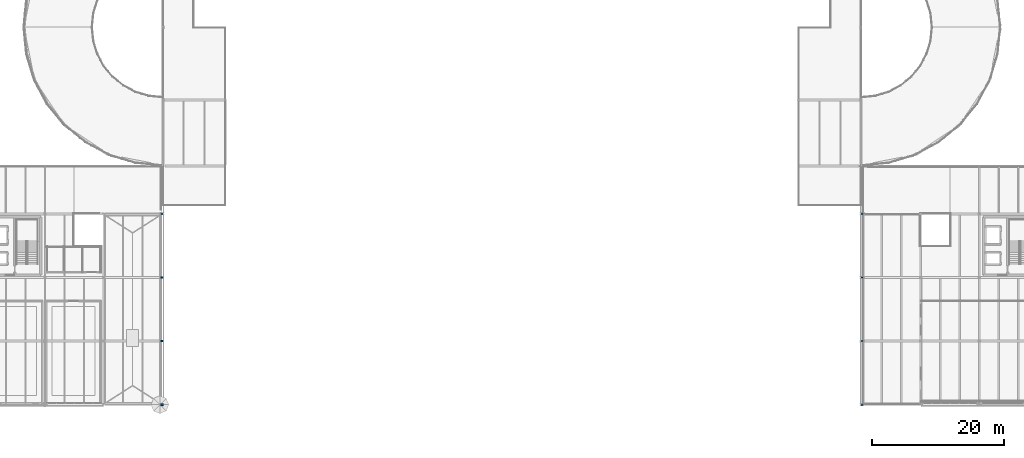
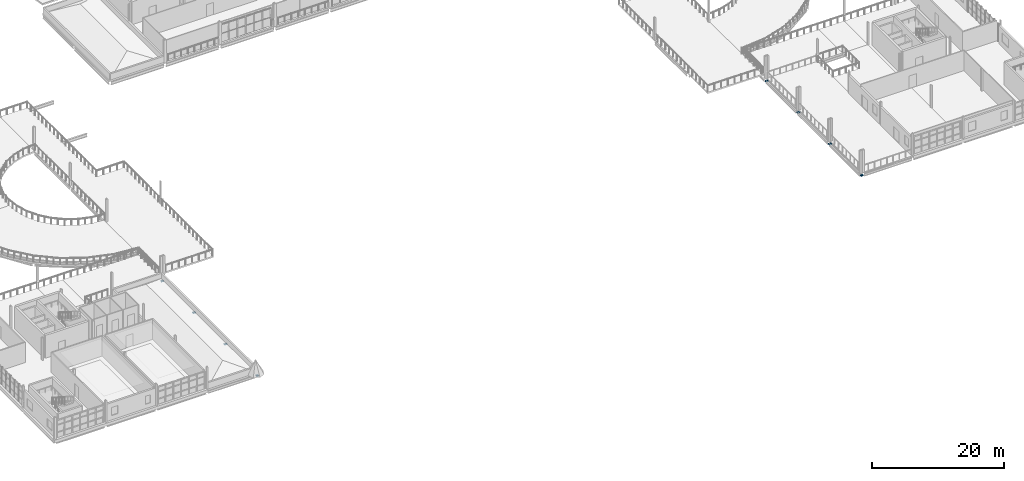
# One storey, part 50 of 58: 8 discrete accessories.
"""IFC4 building model written with IfcOpenShell, lengths in metres."""

from ifc_helpers import new_model, si_unit, direction, frame, origin, origin_2d, place, context, subcontext, project, spatial, rectangle, extrude, material, type_object, element, save


model = new_model("IFC4")

# Units and contexts
model_context = context("Model", 3, precision=1e-05, world=origin(), true_north=direction((0.0, 1.0)))
body_context = subcontext(model_context, "Body", "Model", "MODEL_VIEW")
ifc_project = project(units=[si_unit("LENGTHUNIT", "METRE"), si_unit("AREAUNIT", "SQUARE_METRE"), si_unit("VOLUMEUNIT", "CUBIC_METRE"), si_unit("PLANEANGLEUNIT", "RADIAN"), si_unit("MASSUNIT", "GRAM", prefix="KILO")], contexts=[model_context])

# Site, building, storey
site_placement = place(None, origin())
site = spatial("IfcSite", under=ifc_project, at=site_placement, CompositionType="ELEMENT")
building_placement = place(site_placement, origin())
building = spatial("IfcBuilding", under=site, at=building_placement, Name="Yeouljin Market Hall", CompositionType="ELEMENT")
storey_placement = place(building_placement, frame((0.0, 0.0, 10.800048828125)))
storey = spatial("IfcBuildingStorey", under=building, at=storey_placement, Name="L02", CompositionType="ELEMENT", Elevation=10.800048828125)

# Discrete accessories
ifc_material = material(Name="Steel SM355", Category="steel")
discrete_accessory_type = type_object("IfcDiscreteAccessoryType", Name="Bracket_MovementJoint_Shoe", PredefinedType="SHOE", material=ifc_material)
for number, where, z_axis, x_axis, name in (
    (1, (35.360107421875, 0.0, -0.58984375), (0.0, 0.0, 1.0), (1.0, 0.0, 0.0), "Unguided PTFE movement joint bearing L02"),
    (2, (141.0400390625, 0.0, -0.58984375), (0.0, 0.0, 1.0), (1.0, 0.0, 0.0), "Unguided PTFE movement joint bearing L02"),
    (3, (35.360107421875, 9.60009765625, -0.58984375), (0.0, 0.0, 1.0), (1.0, 0.0, 0.0), "Unguided PTFE movement joint bearing L02"),
    (4, (141.0400390625, 9.60009765625, -0.58984375), (0.0, 0.0, 1.0), (1.0, 0.0, 0.0), "Unguided PTFE movement joint bearing L02"),
    (5, (35.360107421875, 19.199951171875, -0.58984375), (0.0, 0.0, 1.0), (1.0, 0.0, 0.0), "Unguided PTFE movement joint bearing L02"),
    (6, (141.0400390625, 19.199951171875, -0.58984375), (0.0, 0.0, 1.0), (1.0, 0.0, 0.0), "Unguided PTFE movement joint bearing L02"),
    (7, (35.360107421875, 28.800048828125, -0.58984375), (0.0, 0.0, 1.0), (1.0, 0.0, 0.0), "Unguided PTFE movement joint bearing L02"),
    (8, (141.0400390625, 28.800048828125, -0.58984375), (0.0, 0.0, 1.0), (1.0, 0.0, 0.0), "Unguided PTFE movement joint bearing L02"),
):
    element("IfcDiscreteAccessory", number, at=place(storey_placement, frame(where, z_axis=z_axis, x_axis=x_axis)), inside=storey, type_object=discrete_accessory_type, Name=name, PredefinedType="SHOE", context=body_context, shape_type="SweptSolid", body=[
        extrude(rectangle(XDim=0.419921875, YDim=0.280029296875, at=origin_2d()), origin(), (0.0, 0.0, 1.0), 0.179931640625),
    ])

save(model, "model.ifc")
